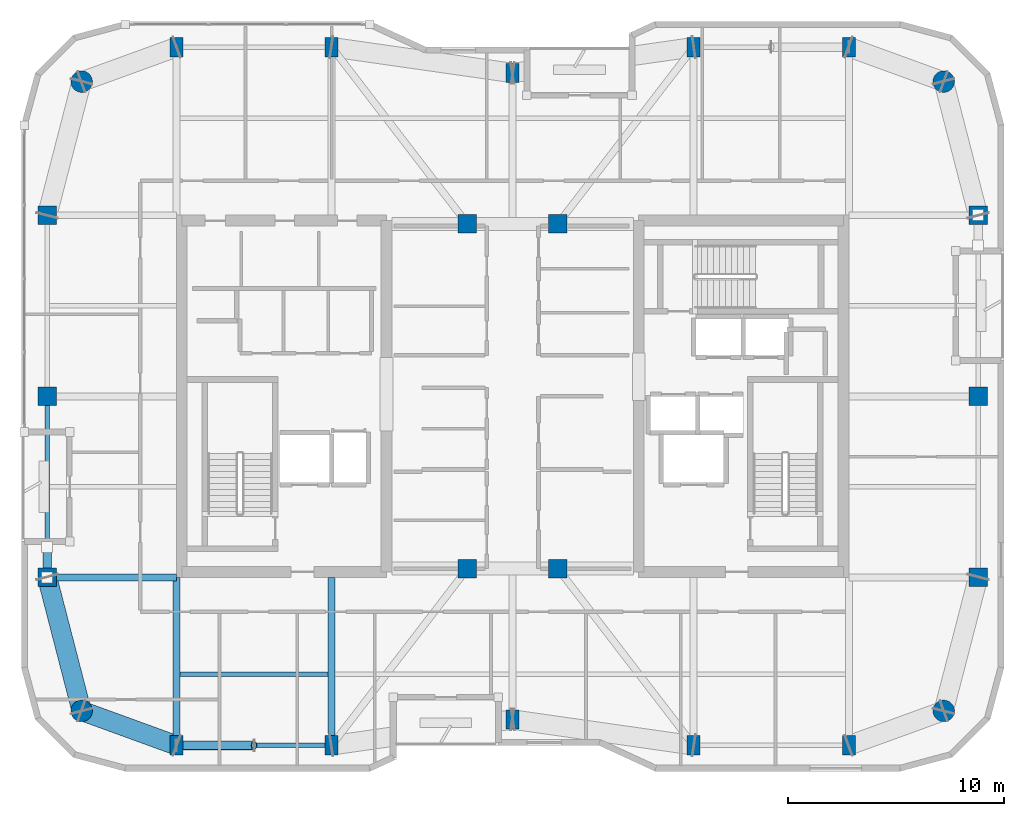
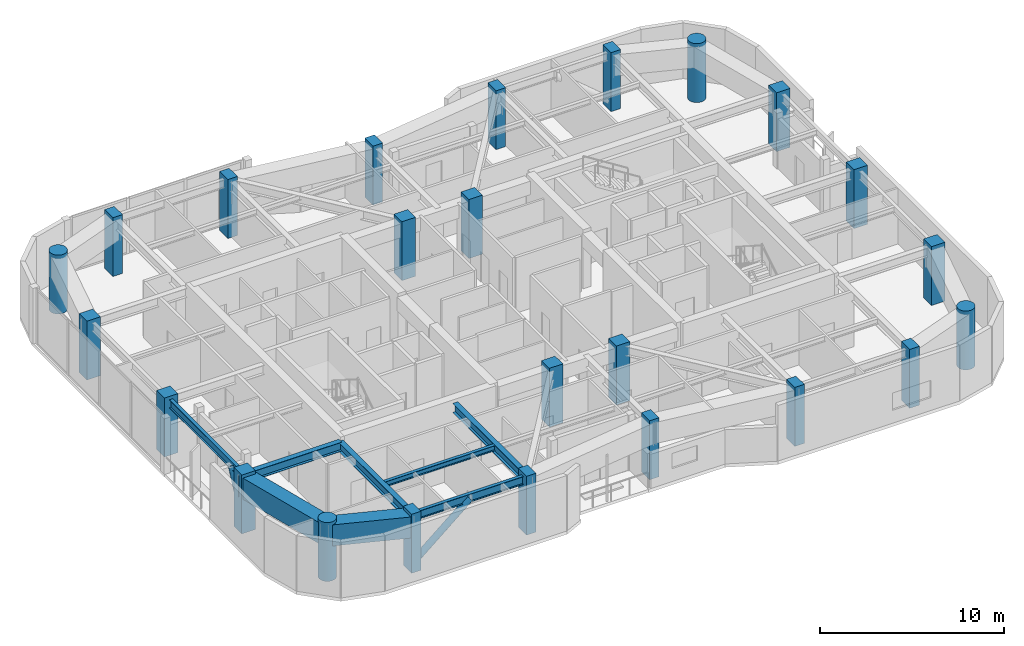
# One storey, part 1 of 16: 24 columns, 8 beams, 2 members.
"""IFC4 building model written with IfcOpenShell, lengths in metres."""

import ifcopenshell
import ifcopenshell.guid

model = None  # the IFC model being written
_history = None  # IfcOwnerHistory: only IFC2X3 demands one
_inside = {}  # id of a spatial element -> (the spatial element, [elements in it])
_under = {}  # id of a project, library or spatial element -> (it, [spatial elements below it])
_declared = {}  # id of a project -> (the project, [libraries it declares])
_typed = {}  # id of a type object -> (the type object, [elements of that type])
_made_of = {}  # id of a material, layer set ... -> (it, [elements and type objects made of it])


def new_model(schema):
    """Start an empty IFC model of exactly this schema.

    Asked for "IFC4X3", IfcOpenShell would pick the latest addendum, in which some entities
    have other attributes; the version numbers below select the first issue.
    IFC2X3 requires an IfcOwnerHistory on every rooted entity: one is made here for all.
    """
    global model, _history
    if schema == "IFC4X3":
        model = ifcopenshell.file(schema_version=(4, 3, 0, 0))
    else:
        model = ifcopenshell.file(schema=schema)
    _inside.clear()
    _under.clear()
    _declared.clear()
    _typed.clear()
    _made_of.clear()
    _history = None
    if model.schema == "IFC2X3":
        org = make("IfcOrganization", Name="unknown")
        user = make(
            "IfcPersonAndOrganization",
            ThePerson=make("IfcPerson", FamilyName="unknown"),
            TheOrganization=org,
        )
        app = make(
            "IfcApplication",
            ApplicationDeveloper=org,
            Version="unknown",
            ApplicationFullName="unknown",
            ApplicationIdentifier="unknown",
        )
        _history = make(
            "IfcOwnerHistory",
            OwningUser=user,
            OwningApplication=app,
            ChangeAction="ADDED",
            CreationDate=0,
        )
    return model


def make(cls, **values):
    """One entity of the class cls with the attributes given. An attribute that is None is left unset."""
    return model.create_entity(
        cls, **{name: value for name, value in values.items() if value is not None}
    )


def rooted(cls, **values):
    """An entity with a GlobalId (a new one), such as an element, a storey or a relation."""
    return make(cls, GlobalId=ifcopenshell.guid.new(), OwnerHistory=_history, **values)


def si_unit(unit_type, name, prefix=None):
    """IfcSIUnit, for example si_unit("LENGTHUNIT", "METRE", prefix="MILLI")."""
    return make("IfcSIUnit", UnitType=unit_type, Prefix=prefix, Name=name)


def assignment(units):
    """IfcUnitAssignment: the units of a project."""
    return None if units is None else make("IfcUnitAssignment", Units=units)


def point(xyz):
    """IfcCartesianPoint."""
    return None if xyz is None else make("IfcCartesianPoint", Coordinates=xyz)


def direction(xyz):
    """IfcDirection."""
    return None if xyz is None else make("IfcDirection", DirectionRatios=xyz)


def frame(location, z_axis=None, x_axis=None):
    """IfcAxis2Placement3D, a coordinate frame: its origin and axes. An axis left out is left unset."""
    return make(
        "IfcAxis2Placement3D",
        Location=point(location),
        Axis=direction(z_axis),
        RefDirection=direction(x_axis),
    )


def frame_2d(location, x_axis=None):
    """IfcAxis2Placement2D, a coordinate frame in the plane: its origin and x axis."""
    return make(
        "IfcAxis2Placement2D", Location=point(location), RefDirection=direction(x_axis)
    )


def origin():
    """The frame at (0, 0, 0) with its axes left unset."""
    return frame((0.0, 0.0, 0.0))


def origin_2d():
    """The frame at (0, 0) in the plane with its x axis left unset."""
    return frame_2d((0.0, 0.0))


def place(relative_to, where):
    """IfcLocalPlacement: puts the frame where relative to a parent placement (None: the world)."""
    return make(
        "IfcLocalPlacement", PlacementRelTo=relative_to, RelativePlacement=where
    )


def context(
    kind, dimensions, precision=None, world=None, true_north=None, identifier=None
):
    """IfcGeometricRepresentationContext, for example the 3D "Model" context."""
    return make(
        "IfcGeometricRepresentationContext",
        ContextIdentifier=identifier,
        ContextType=kind,
        CoordinateSpaceDimension=dimensions,
        Precision=precision,
        WorldCoordinateSystem=world,
        TrueNorth=true_north,
    )


def subcontext(parent, identifier, kind, view, scale=None):
    """IfcGeometricRepresentationSubContext, for example "Body" below "Model"."""
    return make(
        "IfcGeometricRepresentationSubContext",
        ContextIdentifier=identifier,
        ContextType=kind,
        ParentContext=parent,
        TargetScale=scale,
        TargetView=view,
    )


def project(units=None, contexts=None):
    """IfcProject with its units and contexts."""
    return rooted(
        "IfcProject",
        Name="project",
        RepresentationContexts=contexts,
        UnitsInContext=assignment(units),
    )


def spatial(cls, under=None, at=None, **own):
    """A site, building, storey or space (cls), placed at a placement, below another one or the project."""
    s = rooted(cls, ObjectPlacement=at, **own)
    if under is not None:
        _under.setdefault(under.id(), (under, []))[1].append(s)
    return s


def profile(cls, at=None, kind="AREA", **sizes):
    """A parametric profile (cls). Its sizes go by their IFC names, for example OverallWidth=200.0."""
    return make(cls, ProfileType=kind, Position=at, **sizes)


def rectangle(**sizes):
    """IfcRectangleProfileDef."""
    return profile("IfcRectangleProfileDef", **sizes)


def hollow_rectangle(**sizes):
    """IfcRectangleHollowProfileDef."""
    return profile("IfcRectangleHollowProfileDef", **sizes)


def circle(**sizes):
    """IfcCircleProfileDef."""
    return profile("IfcCircleProfileDef", **sizes)


def hollow_circle(**sizes):
    """IfcCircleHollowProfileDef."""
    return profile("IfcCircleHollowProfileDef", **sizes)


def i_section(**sizes):
    """IfcIShapeProfileDef."""
    return profile("IfcIShapeProfileDef", **sizes)


def extrude(swept, where, along, depth):
    """IfcExtrudedAreaSolid: the profile swept, set in the frame where, extruded along a direction by depth."""
    return make(
        "IfcExtrudedAreaSolid",
        SweptArea=swept,
        Position=where,
        ExtrudedDirection=direction(along),
        Depth=depth,
    )


def shape(context_of_items, identifier, shape_type, items):
    """IfcShapeRepresentation: the items that make up one representation, for example the "Body"."""
    return make(
        "IfcShapeRepresentation",
        ContextOfItems=context_of_items,
        RepresentationIdentifier=identifier,
        RepresentationType=shape_type,
        Items=items,
    )


def material(Name=None, Category=None):
    """IfcMaterial."""
    return make("IfcMaterial", Name=Name, Category=Category)


def material_profile(
    of_material, cross_section, Name=None, Category=None, Priority=None
):
    """IfcMaterialProfile: a cross section and its material."""
    return make(
        "IfcMaterialProfile",
        Name=Name,
        Material=of_material,
        Profile=cross_section,
        Priority=Priority,
        Category=Category,
    )


def profile_set(profiles, Name=None, composite=None):
    """IfcMaterialProfileSet."""
    return make(
        "IfcMaterialProfileSet",
        Name=Name,
        MaterialProfiles=profiles,
        CompositeProfile=composite,
    )


def made_of(thing, what):
    """Note that an element or type object is made of a material, layer set ...; save() writes the relation."""
    if what is not None:
        _made_of.setdefault(what.id(), (what, []))[1].append(thing)
    return thing


def type_object(cls, material=None, **own):
    """A type object (cls), such as IfcWallType, which elements share."""
    return made_of(rooted(cls, **own), material)


def element(
    cls,
    number,
    at=None,
    inside=None,
    cuts=None,
    type_object=None,
    material=None,
    context=None,
    identifier="Body",
    shape_type=None,
    held_by="IfcProductDefinitionShape",
    body=None,
    shapes=None,
    **own,
):
    """One element of the class cls, such as IfcWall. Its Tag is "e" and its number.

    at: its placement. inside: the storey or other place that contains it. cuts: it is an
    opening in that element (IfcRelVoidsElement). A single representation is given by context,
    identifier, shape_type and body (its items); several are given by shapes. held_by: the class
    of the entity that holds the representations. save() writes the other relations.
    """
    e = rooted(cls, Tag="e%d" % number, ObjectPlacement=at, **own)
    if body is not None:
        shapes = [shape(context, identifier, shape_type, body)]
    if shapes is not None:
        e.Representation = make(held_by, Representations=shapes)
    if inside is not None:
        _inside.setdefault(inside.id(), (inside, []))[1].append(e)
    if cuts is not None:
        rooted(
            "IfcRelVoidsElement", RelatingBuildingElement=cuts, RelatedOpeningElement=e
        )
    if type_object is not None:
        _typed.setdefault(type_object.id(), (type_object, []))[1].append(e)
    return made_of(e, material)


def aggregate(whole, parts):
    """IfcRelAggregates: a whole, such as a stair, and the parts it consists of."""
    return rooted("IfcRelAggregates", RelatingObject=whole, RelatedObjects=parts)


def save(model, path):
    """Write the relations noted so far, then the file.

    IfcRelAggregates (storeys below a building ...), IfcRelContainedInSpatialStructure (elements
    in a storey), IfcRelDefinesByType, IfcRelAssociatesMaterial and IfcRelDeclares: one each for
    every whole, place, type object, material and project.
    """
    for whole, parts in _under.values():
        aggregate(whole, parts)
    for where, things in _inside.values():
        rooted(
            "IfcRelContainedInSpatialStructure",
            RelatedElements=things,
            RelatingStructure=where,
        )
    for kind, things in _typed.values():
        rooted("IfcRelDefinesByType", RelatedObjects=things, RelatingType=kind)
    for what, things in _made_of.values():
        rooted("IfcRelAssociatesMaterial", RelatedObjects=things, RelatingMaterial=what)
    for by, libraries in _declared.values():
        rooted("IfcRelDeclares", RelatingContext=by, RelatedDefinitions=libraries)
    model.write(path)


model = new_model("IFC4")

# Units and contexts
model_context = context("Model", 3, precision=1e-05, world=origin(), true_north=direction((0.0, 1.0)))
body_context = subcontext(model_context, "Body", "Model", "MODEL_VIEW")
ifc_project = project(units=[si_unit("LENGTHUNIT", "METRE"), si_unit("AREAUNIT", "SQUARE_METRE"), si_unit("VOLUMEUNIT", "CUBIC_METRE"), si_unit("PLANEANGLEUNIT", "RADIAN"), si_unit("MASSUNIT", "GRAM", prefix="KILO")], contexts=[model_context])

# Site, building, storey
site_placement = place(None, origin())
site = spatial("IfcSite", under=ifc_project, at=site_placement, CompositionType="ELEMENT")
building_placement = place(site_placement, origin())
building = spatial("IfcBuilding", under=site, at=building_placement, Name="Kiyonajd Concourse Tower", CompositionType="ELEMENT")
storey_placement = place(building_placement, frame((0.0, 0.0, 310.199951171875)))
storey = spatial("IfcBuildingStorey", under=building, at=storey_placement, Name="L78", CompositionType="ELEMENT", Elevation=310.199951171875)

# Columns
ifc_material_1 = material(Name="Concrete C60/75", Category="concrete")
ifc_material_profile_1 = material_profile(ifc_material_1, rectangle(XDim=0.60009765625, YDim=0.89990234375, at=origin_2d()), Name="RC-900x600")
ifc_profile_set_1 = profile_set([ifc_material_profile_1], Name="Concrete C60/75")
column_type_1 = type_object("IfcColumnType", Name="CL-BLADE-900", PredefinedType="COLUMN", material=ifc_profile_set_1)
for number, where, z_axis, x_axis, name in (
    (1, (32.39990234375, 19.800048828125, 0.0), (0.0, 0.0, 1.0), (1.0, 0.0, 0.0), "L78 Perimeter Bundled Tube Column"),
    (2, (32.39990234375, 52.199951171875, 0.0), (0.0, 0.0, 1.0), (1.0, 0.0, 0.0), "L78 Perimeter Bundled Tube Column"),
    (3, (39.60009765625, 19.800048828125, 0.0), (0.0, 0.0, 1.0), (1.0, 0.0, 0.0), "L78 Perimeter Bundled Tube Column"),
    (4, (39.60009765625, 52.199951171875, 0.0), (0.0, 0.0, 1.0), (1.0, 0.0, 0.0), "L78 Perimeter Bundled Tube Column"),
    (5, (48.0, 21.0, 0.0), (0.0, 0.0, 1.0), (1.0, 0.0, 0.0), "L78 Perimeter Bundled Tube Column"),
    (6, (48.0, 51.0, 0.0), (0.0, 0.0, 1.0), (1.0, 0.0, 0.0), "L78 Perimeter Bundled Tube Column"),
    (7, (56.39990234375, 19.800048828125, 0.0), (0.0, 0.0, 1.0), (1.0, 0.0, 0.0), "L78 Perimeter Bundled Tube Column"),
    (8, (56.39990234375, 52.199951171875, 0.0), (0.0, 0.0, 1.0), (1.0, 0.0, 0.0), "L78 Perimeter Bundled Tube Column"),
    (9, (63.60009765625, 19.800048828125, 0.0), (0.0, 0.0, 1.0), (1.0, 0.0, 0.0), "L78 Perimeter Bundled Tube Column"),
    (10, (63.60009765625, 52.199951171875, 0.0), (0.0, 0.0, 1.0), (1.0, 0.0, 0.0), "L78 Perimeter Bundled Tube Column"),
):
    element("IfcColumn", number, at=place(storey_placement, frame(where, z_axis=z_axis, x_axis=x_axis)), inside=storey, type_object=column_type_1, Name=name, PredefinedType="COLUMN", context=body_context, shape_type="SweptSolid", body=[
        extrude(rectangle(XDim=0.60009765625, YDim=0.89990234375, at=origin_2d()), origin(), (0.0, 0.0, 1.0), 3.900146484375),
    ])
ifc_material_profile_2 = material_profile(ifc_material_1, circle(Radius=0.5, at=origin_2d()), Name="RCC-D1000")
ifc_profile_set_2 = profile_set([ifc_material_profile_2], Name="Concrete C60/75")
column_type_2 = type_object("IfcColumnType", Name="CL-RND-1000", PredefinedType="COLUMN", material=ifc_profile_set_2)
for number, where, z_axis, x_axis, name in (
    (11, (28.0, 21.39990234375, 0.0), (0.0, 0.0, 1.0), (1.0, 0.0, 0.0), "L78 Bundled Tube Corner Column South West"),
    (12, (68.0, 21.39990234375, 0.0), (0.0, 0.0, 1.0), (1.0, 0.0, 0.0), "L78 Bundled Tube Corner Column South East"),
    (13, (68.0, 50.60009765625, 0.0), (0.0, 0.0, 1.0), (1.0, 0.0, 0.0), "L78 Bundled Tube Corner Column North East"),
    (14, (28.0, 50.60009765625, 0.0), (0.0, 0.0, 1.0), (1.0, 0.0, 0.0), "L78 Bundled Tube Corner Column North West"),
):
    element("IfcColumn", number, at=place(storey_placement, frame(where, z_axis=z_axis, x_axis=x_axis)), inside=storey, type_object=column_type_2, Name=name, PredefinedType="COLUMN", context=body_context, shape_type="SweptSolid", body=[
        extrude(circle(Radius=0.5, at=origin_2d()), origin(), (0.0, 0.0, 1.0), 3.900146484375),
    ])
ifc_material_profile_3 = material_profile(ifc_material_1, rectangle(XDim=0.85009765625, YDim=0.85009765625, at=origin_2d()), Name="RC-850x850")
ifc_profile_set_3 = profile_set([ifc_material_profile_3], Name="Concrete C60/75")
column_type_3 = type_object("IfcColumnType", Name="CL-TUBE-850", PredefinedType="COLUMN", material=ifc_profile_set_3)
for number, where, z_axis, x_axis, name in (
    (15, (26.39990234375, 27.60009765625, 0.0), (0.0, 0.0, 1.0), (1.0, 0.0, 0.0), "L78 Perimeter Bundled Tube Column"),
    (16, (69.60009765625, 27.60009765625, 0.0), (0.0, 0.0, 1.0), (1.0, 0.0, 0.0), "L78 Perimeter Bundled Tube Column"),
    (17, (26.39990234375, 36.0, 0.0), (0.0, 0.0, 1.0), (1.0, 0.0, 0.0), "L78 Perimeter Bundled Tube Column"),
    (18, (69.60009765625, 36.0, 0.0), (0.0, 0.0, 1.0), (1.0, 0.0, 0.0), "L78 Perimeter Bundled Tube Column"),
    (19, (26.39990234375, 44.39990234375, 0.0), (0.0, 0.0, 1.0), (1.0, 0.0, 0.0), "L78 Perimeter Bundled Tube Column"),
    (20, (69.60009765625, 44.39990234375, 0.0), (0.0, 0.0, 1.0), (1.0, 0.0, 0.0), "L78 Perimeter Bundled Tube Column"),
    (21, (45.89990234375, 28.0, 0.0), (0.0, 0.0, 1.0), (1.0, 0.0, 0.0), "L78 Core Tie Column South West"),
    (22, (50.10009765625, 28.0, 0.0), (0.0, 0.0, 1.0), (1.0, 0.0, 0.0), "L78 Core Tie Column South East"),
    (23, (45.89990234375, 44.0, 0.0), (0.0, 0.0, 1.0), (1.0, 0.0, 0.0), "L78 Core Tie Column North West"),
    (24, (50.10009765625, 44.0, 0.0), (0.0, 0.0, 1.0), (1.0, 0.0, 0.0), "L78 Core Tie Column North East"),
):
    element("IfcColumn", number, at=place(storey_placement, frame(where, z_axis=z_axis, x_axis=x_axis)), inside=storey, type_object=column_type_3, Name=name, PredefinedType="COLUMN", context=body_context, shape_type="SweptSolid", body=[
        extrude(rectangle(XDim=0.85009765625, YDim=0.85009765625, at=origin_2d()), origin(), (0.0, 0.0, 1.0), 3.900146484375),
    ])

# Beams
ifc_material_2 = material(Name="Steel ASTM A992 Grade 50", Category="steel")
ifc_material_profile_4 = material_profile(ifc_material_2, i_section(OverallWidth=0.205078125, OverallDepth=0.35400390625, WebThickness=0.009521484375, FlangeThickness=0.016845703125, at=origin_2d()), Name="W360X79")
ifc_profile_set_4 = profile_set([ifc_material_profile_4], Name="Steel ASTM A992 Grade 50")
beam_type_1 = type_object("IfcBeamType", Name="BM-JST-360", PredefinedType="JOIST", material=ifc_profile_set_4)
beam_1_placement = place(storey_placement, frame((32.56201171875, 23.10009765625, 3.5029296875), z_axis=(1.0, 0.0, 0.0), x_axis=(0.0, 1.0, 0.0)))
element("IfcBeam", 25, at=beam_1_placement, inside=storey, type_object=beam_type_1, Name="L78 Secondary Floor Joist", PredefinedType="JOIST", context=body_context, shape_type="SweptSolid", body=[
    extrude(i_section(OverallWidth=0.205078125, OverallDepth=0.35400390625, WebThickness=0.009521484375, FlangeThickness=0.016845703125, at=origin_2d()), origin(), (0.0, 0.0, 1.0), 6.8759765625),
])
ifc_material_profile_5 = material_profile(ifc_material_2, i_section(OverallWidth=0.2109375, OverallDepth=0.5390625, WebThickness=0.01171875, FlangeThickness=0.018798828125, at=origin_2d()), Name="W530X109")
ifc_profile_set_5 = profile_set([ifc_material_profile_5], Name="Steel ASTM A992 Grade 50")
beam_type_2 = type_object("IfcBeamType", Name="BM-SPAN-530B", PredefinedType="SPANDREL", material=ifc_profile_set_5)
beam_2_placement = place(storey_placement, frame((32.39990234375, 19.800048828125, 3.41064453125), z_axis=(1.0, 0.0, 0.0), x_axis=(0.0, 1.0, 0.0)))
element("IfcBeam", 26, at=beam_2_placement, inside=storey, type_object=beam_type_2, Name="L78 Perimeter Bundled Tube Spandrel", PredefinedType="SPANDREL", context=body_context, shape_type="SweptSolid", body=[
    extrude(i_section(OverallWidth=0.2109375, OverallDepth=0.5390625, WebThickness=0.01171875, FlangeThickness=0.018798828125, at=origin_2d()), origin(), (0.0, 0.0, 1.0), 7.2001953125),
])
beam_3_placement = place(storey_placement, frame((26.39990234375, 36.0, 3.41064453125), z_axis=(0.0, -1.0, 0.0), x_axis=(1.0, 0.0, 0.0)))
element("IfcBeam", 27, at=beam_3_placement, inside=storey, type_object=beam_type_2, Name="L78 Perimeter Bundled Tube Spandrel", PredefinedType="SPANDREL", context=body_context, shape_type="SweptSolid", body=[
    extrude(i_section(OverallWidth=0.2109375, OverallDepth=0.5390625, WebThickness=0.01171875, FlangeThickness=0.018798828125, at=origin_2d()), origin(), (0.0, 0.0, 1.0), 8.39990234375),
])
ifc_material_profile_6 = material_profile(ifc_material_2, i_section(OverallWidth=0.323974609375, OverallDepth=0.611083984375, WebThickness=0.0126953125, FlangeThickness=0.01904296875, at=origin_2d()), Name="W610X155")
ifc_profile_set_6 = profile_set([ifc_material_profile_6], Name="Steel ASTM A992 Grade 50")
beam_type_3 = type_object("IfcBeamType", Name="BM-TWR-610B", PredefinedType="BEAM", material=ifc_profile_set_6)
for number, where, z_axis, x_axis, name in (
    (28, (32.39990234375, 19.800048828125, 3.37451171875), (0.0, 1.0, 0.0), (-1.0, 0.0, 0.0), "L78 South Lease Girder"),
    (29, (39.60009765625, 19.800048828125, 3.37451171875), (0.0, 1.0, 0.0), (-1.0, 0.0, 0.0), "L78 South Lease Girder"),
):
    element("IfcBeam", number, at=place(storey_placement, frame(where, z_axis=z_axis, x_axis=x_axis)), inside=storey, type_object=beam_type_3, Name=name, PredefinedType="BEAM", context=body_context, shape_type="SweptSolid", body=[
        extrude(i_section(OverallWidth=0.323974609375, OverallDepth=0.611083984375, WebThickness=0.0126953125, FlangeThickness=0.01904296875, at=origin_2d()), origin(), (0.0, 0.0, 1.0), 7.800048828125),
    ])
beam_4_placement = place(storey_placement, frame((26.39990234375, 27.60009765625, 3.37451171875), z_axis=(1.0, 0.0, 0.0), x_axis=(0.0, 1.0, 0.0)))
element("IfcBeam", 30, at=beam_4_placement, inside=storey, type_object=beam_type_3, Name="L78 West Lease Girder", PredefinedType="BEAM", context=body_context, shape_type="SweptSolid", body=[
    extrude(i_section(OverallWidth=0.323974609375, OverallDepth=0.611083984375, WebThickness=0.0126953125, FlangeThickness=0.01904296875, at=origin_2d()), origin(), (0.0, 0.0, 1.0), 6.0),
])
ifc_material_3 = material(Name="Steel ASTM A572 Grade 50", Category="steel")
ifc_material_profile_7 = material_profile(ifc_material_3, hollow_rectangle(XDim=0.89990234375, YDim=1.39990234375, WallThickness=0.070068359375, at=origin_2d()), Name="BOX-1400x900x70")
ifc_profile_set_7 = profile_set([ifc_material_profile_7], Name="Steel ASTM A572 Grade 50")
beam_type_4 = type_object("IfcBeamType", Name="BM-XFER-1400", PredefinedType="BEAM", material=ifc_profile_set_7)
beam_5_placement = place(storey_placement, frame((26.39990234375, 27.60009765625, 2.97998046875), z_axis=(0.249884937687, -0.968275538221, 0.0), x_axis=(0.968275538221, 0.249884937687, 0.0)))
element("IfcBeam", 31, at=beam_5_placement, inside=storey, type_object=beam_type_4, Name="L78 Perimeter Bundled Tube Spandrel", PredefinedType="BEAM", context=body_context, shape_type="SweptSolid", body=[
    extrude(hollow_rectangle(XDim=0.89990234375, YDim=1.39990234375, WallThickness=0.070068359375, at=origin_2d()), origin(), (0.0, 0.0, 1.0), 6.4033203125),
])
beam_6_placement = place(storey_placement, frame((28.0, 21.39990234375, 2.97998046875), z_axis=(0.939801036019, -0.341722127901, 0.0), x_axis=(0.341722127901, 0.939801036019, 0.0)))
element("IfcBeam", 32, at=beam_6_placement, inside=storey, type_object=beam_type_4, Name="L78 Perimeter Bundled Tube Spandrel", PredefinedType="BEAM", context=body_context, shape_type="SweptSolid", body=[
    extrude(hollow_rectangle(XDim=0.89990234375, YDim=1.39990234375, WallThickness=0.070068359375, at=origin_2d()), origin(), (0.0, 0.0, 1.0), 4.681640625),
])

# Members
ifc_material_4 = material(Name="Steel ASTM A500 Grade C", Category="steel")
ifc_material_profile_8 = material_profile(ifc_material_4, hollow_circle(Radius=0.202880859375, WallThickness=0.01904296875, at=origin_2d()), Name="CHS-406x19")
ifc_profile_set_8 = profile_set([ifc_material_profile_8], Name="Steel ASTM A500 Grade C")
member_type = type_object("IfcMemberType", Name="MB-PB-HIGH", PredefinedType="BRACE", material=ifc_profile_set_8)
member_1_placement = place(storey_placement, frame((32.39990234375, 19.800048828125, 0.300048828125), z_axis=(0.765082043761, 0.0, 0.643932811957), x_axis=(0.0, 1.0, 0.0)))
element("IfcMember", 33, at=member_1_placement, inside=storey, type_object=member_type, Name="L78 Upper Zone Hollow Tube Brace PBS", PredefinedType="BRACE", context=body_context, shape_type="SweptSolid", body=[
    extrude(hollow_circle(Radius=0.202880859375, WallThickness=0.01904296875, at=origin_2d()), origin(), (0.0, 0.0, 1.0), 4.70556640625),
])
member_2_placement = place(storey_placement, frame((26.39990234375, 27.60009765625, 0.300048828125), z_axis=(0.0, 0.419410666774, 0.907796614114), x_axis=(-1.0, 0.0, 0.0)))
element("IfcMember", 34, at=member_2_placement, inside=storey, type_object=member_type, Name="L78 Upper Zone Hollow Tube Brace PBW", PredefinedType="BRACE", context=body_context, shape_type="SweptSolid", body=[
    extrude(hollow_circle(Radius=0.202880859375, WallThickness=0.01904296875, at=origin_2d()), origin(), (0.0, 0.0, 1.0), 3.337890625),
])

save(model, "model.ifc")
